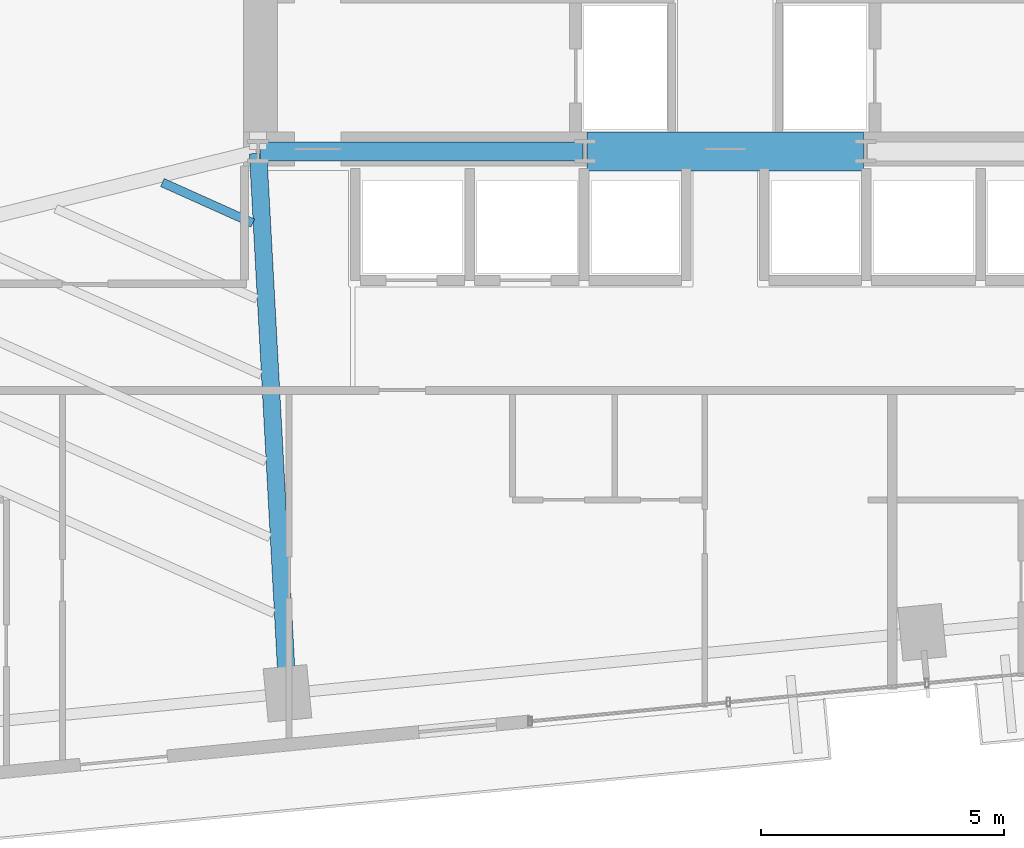
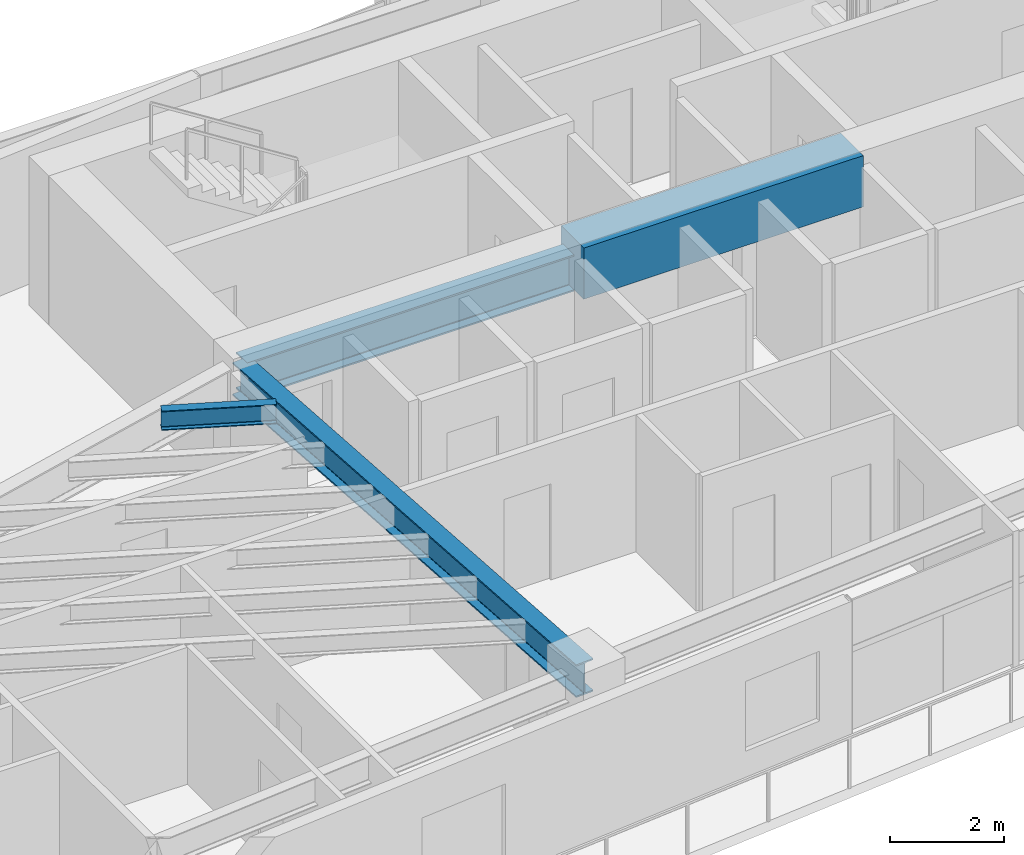
# One storey, part 7 of 27: 4 beams.
"""IFC4 building model written with IfcOpenShell, lengths in metres."""

from ifc_helpers import new_model, si_unit, direction, frame, origin, origin_2d, place, context, subcontext, project, spatial, rectangle, i_section, extrude, source, transform, mapped, material, material_profile, profile_set, type_object, type_shapes, element, save


model = new_model("IFC4")

# Units and contexts
model_context = context("Model", 3, precision=1e-05, world=origin(), true_north=direction((0.0, 1.0)))
body_context = subcontext(model_context, "Body", "Model", "MODEL_VIEW")
ifc_project = project(units=[si_unit("LENGTHUNIT", "METRE"), si_unit("AREAUNIT", "SQUARE_METRE"), si_unit("VOLUMEUNIT", "CUBIC_METRE"), si_unit("PLANEANGLEUNIT", "RADIAN"), si_unit("MASSUNIT", "GRAM", prefix="KILO")], contexts=[model_context])

# Site, building, storey
site_placement = place(None, origin())
site = spatial("IfcSite", under=ifc_project, at=site_placement, CompositionType="ELEMENT")
building_placement = place(site_placement, origin())
building = spatial("IfcBuilding", under=site, at=building_placement, Name="Astriad Promenade Condominiums", CompositionType="ELEMENT")
storey_placement = place(building_placement, frame((0.0, 0.0, 90.60009765625)))
storey = spatial("IfcBuildingStorey", under=building, at=storey_placement, Name="L25", CompositionType="ELEMENT", Elevation=90.60009765625)

# Beams
ifc_material_1 = material(Name="Steel ASTM A992 Grade 50", Category="steel")
ifc_material_profile_1 = material_profile(ifc_material_1, i_section(OverallWidth=0.3837890625, OverallDepth=0.785888671875, WebThickness=0.019775390625, FlangeThickness=0.033447265625, FilletRadius=0.021484375, at=origin_2d()), Name="W30X211")
ifc_profile_set_1 = profile_set([ifc_material_profile_1], Name="Steel ASTM A992 Grade 50")
beam_type_1 = type_object("IfcBeamType", Name="STEEL FLOOR GIRDER W30X211", PredefinedType="BEAM", material=ifc_profile_set_1)
shared_shape_1 = source(origin(), body_context, "Body", "SweptSolid", [
    extrude(i_section(OverallWidth=0.3837890625, OverallDepth=0.785888671875, WebThickness=0.019775390625, FlangeThickness=0.033447265625, FilletRadius=0.021484375, at=origin_2d()), origin(), (0.0, 0.0, 1.0), 6.64013671875),
])
type_shapes(beam_type_1, [shared_shape_1])
beam_1_placement = place(storey_placement, frame((26.43994140625, 17.39990234375, 2.547119140625), z_axis=(1.0, 0.0, 0.0), x_axis=(0.0, 1.0, 0.0)))
element("IfcBeam", 1, at=beam_1_placement, inside=storey, type_object=beam_type_1, Name="Core Ring Beam CG-S1-L25", PredefinedType="BEAM", context=body_context, shape_type="MappedRepresentation", body=[
    mapped(shared_shape_1, transform((0.0, 0.0, 0.0), scale=1.0)),
])
ifc_material_2 = material(Name="Concrete C80/95", Category="concrete")
ifc_material_profile_2 = material_profile(ifc_material_2, rectangle(XDim=0.800048828125, YDim=1.10009765625, at=origin_2d()), Name="RC-BM-800X1100")
ifc_profile_set_2 = profile_set([ifc_material_profile_2], Name="Concrete C80/95")
beam_type_2 = type_object("IfcBeamType", Name="CONCRETE CORE COUPLING LINTEL 800X1100", PredefinedType="LINTEL", material=ifc_profile_set_2)
shared_shape_2 = source(origin(), body_context, "Body", "SweptSolid", [
    extrude(rectangle(XDim=0.800048828125, YDim=1.10009765625, at=origin_2d()), origin(), (0.0, 0.0, 1.0), 5.68017578125),
])
type_shapes(beam_type_2, [shared_shape_2])
beam_2_placement = place(storey_placement, frame((33.159912109375, 17.39990234375, 2.6298828125), z_axis=(1.0, 0.0, 0.0), x_axis=(0.0, 1.0, 0.0)))
element("IfcBeam", 2, at=beam_2_placement, inside=storey, type_object=beam_type_2, Name="Core Ring Beam CG-S2-L25", PredefinedType="LINTEL", context=body_context, shape_type="MappedRepresentation", body=[
    mapped(shared_shape_2, transform((0.0, 0.0, 0.0), scale=1.0)),
])
ifc_material_profile_3 = material_profile(ifc_material_1, i_section(OverallWidth=0.35791015625, OverallDepth=0.706298828125, WebThickness=0.018310546875, FlangeThickness=0.0302734375, FilletRadius=0.020263671875, at=origin_2d()), Name="W27X178")
ifc_profile_set_3 = profile_set([ifc_material_profile_3], Name="Steel ASTM A992 Grade 50")
beam_type_3 = type_object("IfcBeamType", Name="STEEL FLOOR GIRDER W27X178", PredefinedType="BEAM", material=ifc_profile_set_3)
shared_shape_3 = source(origin(), body_context, "Body", "SweptSolid", [
    extrude(i_section(OverallWidth=0.35791015625, OverallDepth=0.706298828125, WebThickness=0.018310546875, FlangeThickness=0.0302734375, FilletRadius=0.020263671875, at=origin_2d()), origin(), (0.0, 0.0, 1.0), 11.071533203125),
])
type_shapes(beam_type_3, [shared_shape_3])
beam_3_placement = place(storey_placement, frame((27.00341796875, 6.304931640625, 2.586669921875), z_axis=(-0.05431219074, 0.998524003686, 0.0), x_axis=(-0.998524003686, -0.05431219074, 0.0)))
element("IfcBeam", 3, at=beam_3_placement, inside=storey, type_object=beam_type_3, Name="Primary Floor Girder PG-W2-L25", PredefinedType="BEAM", context=body_context, shape_type="MappedRepresentation", body=[
    mapped(shared_shape_3, transform((0.0, 0.0, 0.0), scale=1.0)),
])
ifc_material_profile_4 = material_profile(ifc_material_1, i_section(OverallWidth=0.180908203125, OverallDepth=0.417236328125, WebThickness=0.010986328125, FlangeThickness=0.018310546875, FilletRadius=0.013916015625, at=origin_2d()), Name="W16X57")
ifc_profile_set_4 = profile_set([ifc_material_profile_4], Name="Steel ASTM A992 Grade 50")
beam_type_4 = type_object("IfcBeamType", Name="STEEL FLOOR JOIST W16X57", PredefinedType="JOIST", material=ifc_profile_set_4)
shared_shape_4 = source(origin(), body_context, "Body", "SweptSolid", [
    extrude(i_section(OverallWidth=0.180908203125, OverallDepth=0.417236328125, WebThickness=0.010986328125, FlangeThickness=0.018310546875, FilletRadius=0.013916015625, at=origin_2d()), origin(), (0.0, 0.0, 1.0), 2.03564453125),
])
type_shapes(beam_type_4, [shared_shape_4])
beam_4_placement = place(storey_placement, frame((24.434814453125, 16.76123046875, 2.731201171875), z_axis=(0.912286908711, -0.409551701492, 0.0), x_axis=(0.409551701492, 0.912286908711, 0.0)))
element("IfcBeam", 4, at=beam_4_placement, inside=storey, type_object=beam_type_4, Name="Secondary Composite Floor Joist JW1-6-L25", PredefinedType="JOIST", context=body_context, shape_type="MappedRepresentation", body=[
    mapped(shared_shape_4, transform((0.0, 0.0, 0.0), scale=1.0)),
])

save(model, "model.ifc")
